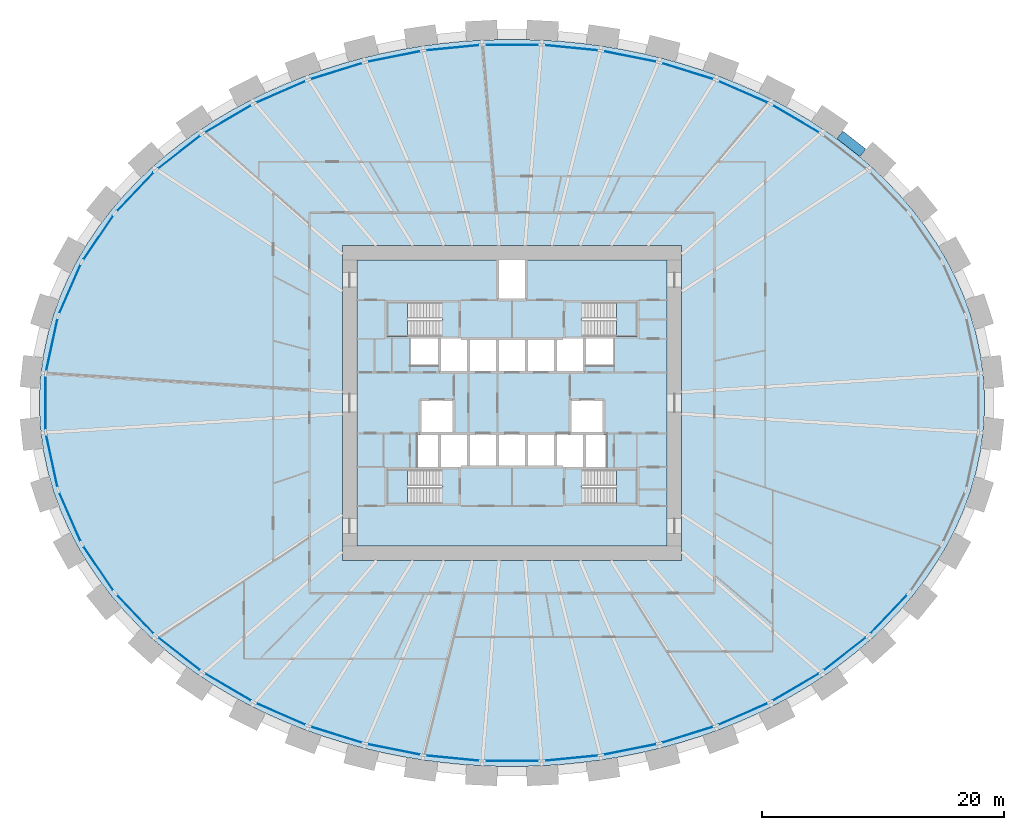
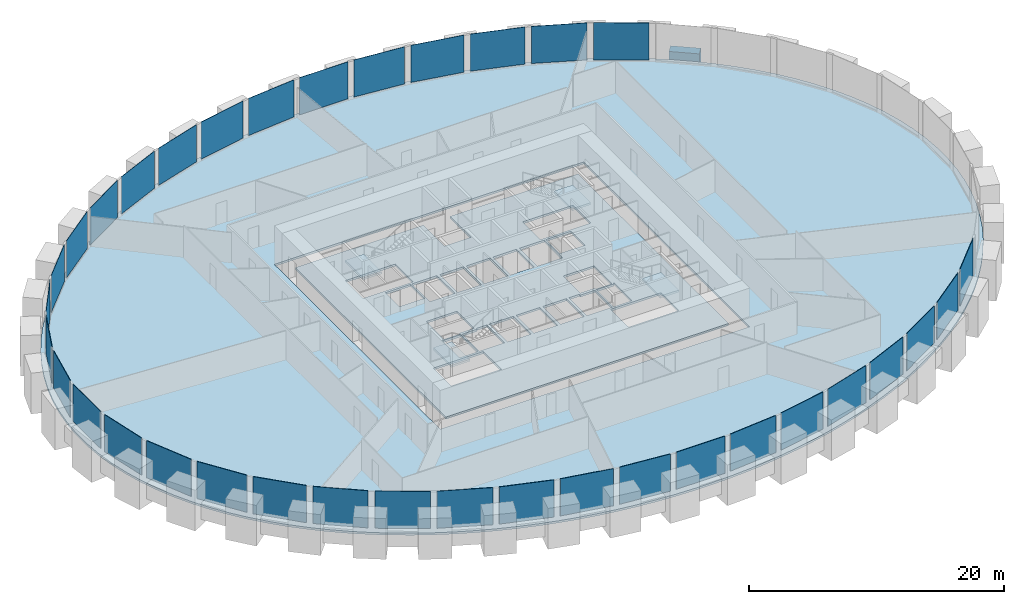
# One storey, part 4 of 11: 35 plates, 6 slabs, 1 beam, 5 elements without a shape of their own.
"""IFC4 building model written with IfcOpenShell, lengths in metres."""

import ifcopenshell
import ifcopenshell.guid

model = None  # the IFC model being written
_history = None  # IfcOwnerHistory: only IFC2X3 demands one
_inside = {}  # id of a spatial element -> (the spatial element, [elements in it])
_under = {}  # id of a project, library or spatial element -> (it, [spatial elements below it])
_declared = {}  # id of a project -> (the project, [libraries it declares])
_typed = {}  # id of a type object -> (the type object, [elements of that type])
_made_of = {}  # id of a material, layer set ... -> (it, [elements and type objects made of it])


def new_model(schema):
    """Start an empty IFC model of exactly this schema.

    Asked for "IFC4X3", IfcOpenShell would pick the latest addendum, in which some entities
    have other attributes; the version numbers below select the first issue.
    IFC2X3 requires an IfcOwnerHistory on every rooted entity: one is made here for all.
    """
    global model, _history
    if schema == "IFC4X3":
        model = ifcopenshell.file(schema_version=(4, 3, 0, 0))
    else:
        model = ifcopenshell.file(schema=schema)
    _inside.clear()
    _under.clear()
    _declared.clear()
    _typed.clear()
    _made_of.clear()
    _history = None
    if model.schema == "IFC2X3":
        org = make("IfcOrganization", Name="unknown")
        user = make(
            "IfcPersonAndOrganization",
            ThePerson=make("IfcPerson", FamilyName="unknown"),
            TheOrganization=org,
        )
        app = make(
            "IfcApplication",
            ApplicationDeveloper=org,
            Version="unknown",
            ApplicationFullName="unknown",
            ApplicationIdentifier="unknown",
        )
        _history = make(
            "IfcOwnerHistory",
            OwningUser=user,
            OwningApplication=app,
            ChangeAction="ADDED",
            CreationDate=0,
        )
    return model


def make(cls, **values):
    """One entity of the class cls with the attributes given. An attribute that is None is left unset."""
    return model.create_entity(
        cls, **{name: value for name, value in values.items() if value is not None}
    )


def rooted(cls, **values):
    """An entity with a GlobalId (a new one), such as an element, a storey or a relation."""
    return make(cls, GlobalId=ifcopenshell.guid.new(), OwnerHistory=_history, **values)


def si_unit(unit_type, name, prefix=None):
    """IfcSIUnit, for example si_unit("LENGTHUNIT", "METRE", prefix="MILLI")."""
    return make("IfcSIUnit", UnitType=unit_type, Prefix=prefix, Name=name)


def assignment(units):
    """IfcUnitAssignment: the units of a project."""
    return None if units is None else make("IfcUnitAssignment", Units=units)


def point(xyz):
    """IfcCartesianPoint."""
    return None if xyz is None else make("IfcCartesianPoint", Coordinates=xyz)


def direction(xyz):
    """IfcDirection."""
    return None if xyz is None else make("IfcDirection", DirectionRatios=xyz)


def frame(location, z_axis=None, x_axis=None):
    """IfcAxis2Placement3D, a coordinate frame: its origin and axes. An axis left out is left unset."""
    return make(
        "IfcAxis2Placement3D",
        Location=point(location),
        Axis=direction(z_axis),
        RefDirection=direction(x_axis),
    )


def frame_2d(location, x_axis=None):
    """IfcAxis2Placement2D, a coordinate frame in the plane: its origin and x axis."""
    return make(
        "IfcAxis2Placement2D", Location=point(location), RefDirection=direction(x_axis)
    )


def origin():
    """The frame at (0, 0, 0) with its axes left unset."""
    return frame((0.0, 0.0, 0.0))


def origin_2d():
    """The frame at (0, 0) in the plane with its x axis left unset."""
    return frame_2d((0.0, 0.0))


def place(relative_to, where):
    """IfcLocalPlacement: puts the frame where relative to a parent placement (None: the world)."""
    return make(
        "IfcLocalPlacement", PlacementRelTo=relative_to, RelativePlacement=where
    )


def context(
    kind, dimensions, precision=None, world=None, true_north=None, identifier=None
):
    """IfcGeometricRepresentationContext, for example the 3D "Model" context."""
    return make(
        "IfcGeometricRepresentationContext",
        ContextIdentifier=identifier,
        ContextType=kind,
        CoordinateSpaceDimension=dimensions,
        Precision=precision,
        WorldCoordinateSystem=world,
        TrueNorth=true_north,
    )


def subcontext(parent, identifier, kind, view, scale=None):
    """IfcGeometricRepresentationSubContext, for example "Body" below "Model"."""
    return make(
        "IfcGeometricRepresentationSubContext",
        ContextIdentifier=identifier,
        ContextType=kind,
        ParentContext=parent,
        TargetScale=scale,
        TargetView=view,
    )


def project(units=None, contexts=None):
    """IfcProject with its units and contexts."""
    return rooted(
        "IfcProject",
        Name="project",
        RepresentationContexts=contexts,
        UnitsInContext=assignment(units),
    )


def spatial(cls, under=None, at=None, **own):
    """A site, building, storey or space (cls), placed at a placement, below another one or the project."""
    s = rooted(cls, ObjectPlacement=at, **own)
    if under is not None:
        _under.setdefault(under.id(), (under, []))[1].append(s)
    return s


def polyline(points):
    """IfcPolyline through the points."""
    return make("IfcPolyline", Points=[point(p) for p in points])


def profile(cls, at=None, kind="AREA", **sizes):
    """A parametric profile (cls). Its sizes go by their IFC names, for example OverallWidth=200.0."""
    return make(cls, ProfileType=kind, Position=at, **sizes)


def rectangle(**sizes):
    """IfcRectangleProfileDef."""
    return profile("IfcRectangleProfileDef", **sizes)


def outline(outer, holes=None, kind="AREA"):
    """IfcArbitraryClosedProfileDef: a profile drawn as a closed curve; with holes, ...WithVoids."""
    if holes is None:
        return make("IfcArbitraryClosedProfileDef", ProfileType=kind, OuterCurve=outer)
    return make(
        "IfcArbitraryProfileDefWithVoids",
        ProfileType=kind,
        OuterCurve=outer,
        InnerCurves=holes,
    )


def extrude(swept, where, along, depth):
    """IfcExtrudedAreaSolid: the profile swept, set in the frame where, extruded along a direction by depth."""
    return make(
        "IfcExtrudedAreaSolid",
        SweptArea=swept,
        Position=where,
        ExtrudedDirection=direction(along),
        Depth=depth,
    )


def shape(context_of_items, identifier, shape_type, items):
    """IfcShapeRepresentation: the items that make up one representation, for example the "Body"."""
    return make(
        "IfcShapeRepresentation",
        ContextOfItems=context_of_items,
        RepresentationIdentifier=identifier,
        RepresentationType=shape_type,
        Items=items,
    )


def source(mapping_origin, context_of_items, identifier, shape_type, items):
    """IfcRepresentationMap: a shape defined once, which mapped items show again and again."""
    return make(
        "IfcRepresentationMap",
        MappingOrigin=mapping_origin,
        MappedRepresentation=shape(context_of_items, identifier, shape_type, items),
    )


def transform(
    local_origin,
    x_axis=None,
    y_axis=None,
    z_axis=None,
    scale=None,
    scale2=None,
    scale3=None,
    uniform=True,
):
    """IfcCartesianTransformationOperator3D, or its non-uniform kind. x_axis, y_axis, z_axis: its Axis1, 2, 3."""
    if uniform:
        return make(
            "IfcCartesianTransformationOperator3D",
            Axis1=direction(x_axis),
            Axis2=direction(y_axis),
            LocalOrigin=point(local_origin),
            Scale=scale,
            Axis3=direction(z_axis),
        )
    return make(
        "IfcCartesianTransformationOperator3DnonUniform",
        Axis1=direction(x_axis),
        Axis2=direction(y_axis),
        LocalOrigin=point(local_origin),
        Scale=scale,
        Axis3=direction(z_axis),
        Scale2=scale2,
        Scale3=scale3,
    )


def mapped(mapping_source, mapping_target):
    """IfcMappedItem: shows the shape of a source again, moved by a transform."""
    return make(
        "IfcMappedItem", MappingSource=mapping_source, MappingTarget=mapping_target
    )


def material(Name=None, Category=None):
    """IfcMaterial."""
    return make("IfcMaterial", Name=Name, Category=Category)


def layer(
    of_material, thickness, ventilated=None, Name=None, Category=None, Priority=None
):
    """IfcMaterialLayer: one layer of a wall or slab, of a material (None: an air gap)."""
    return make(
        "IfcMaterialLayer",
        Material=of_material,
        LayerThickness=thickness,
        IsVentilated=ventilated,
        Name=Name,
        Category=Category,
        Priority=Priority,
    )


def layer_set(layers, Name=None):
    """IfcMaterialLayerSet."""
    return make("IfcMaterialLayerSet", MaterialLayers=layers, LayerSetName=Name)


def material_profile(
    of_material, cross_section, Name=None, Category=None, Priority=None
):
    """IfcMaterialProfile: a cross section and its material."""
    return make(
        "IfcMaterialProfile",
        Name=Name,
        Material=of_material,
        Profile=cross_section,
        Priority=Priority,
        Category=Category,
    )


def profile_set(profiles, Name=None, composite=None):
    """IfcMaterialProfileSet."""
    return make(
        "IfcMaterialProfileSet",
        Name=Name,
        MaterialProfiles=profiles,
        CompositeProfile=composite,
    )


def made_of(thing, what):
    """Note that an element or type object is made of a material, layer set ...; save() writes the relation."""
    if what is not None:
        _made_of.setdefault(what.id(), (what, []))[1].append(thing)
    return thing


def type_object(cls, material=None, **own):
    """A type object (cls), such as IfcWallType, which elements share."""
    return made_of(rooted(cls, **own), material)


def element(
    cls,
    number,
    at=None,
    inside=None,
    cuts=None,
    type_object=None,
    material=None,
    context=None,
    identifier="Body",
    shape_type=None,
    held_by="IfcProductDefinitionShape",
    body=None,
    shapes=None,
    **own,
):
    """One element of the class cls, such as IfcWall. Its Tag is "e" and its number.

    at: its placement. inside: the storey or other place that contains it. cuts: it is an
    opening in that element (IfcRelVoidsElement). A single representation is given by context,
    identifier, shape_type and body (its items); several are given by shapes. held_by: the class
    of the entity that holds the representations. save() writes the other relations.
    """
    e = rooted(cls, Tag="e%d" % number, ObjectPlacement=at, **own)
    if body is not None:
        shapes = [shape(context, identifier, shape_type, body)]
    if shapes is not None:
        e.Representation = make(held_by, Representations=shapes)
    if inside is not None:
        _inside.setdefault(inside.id(), (inside, []))[1].append(e)
    if cuts is not None:
        rooted(
            "IfcRelVoidsElement", RelatingBuildingElement=cuts, RelatedOpeningElement=e
        )
    if type_object is not None:
        _typed.setdefault(type_object.id(), (type_object, []))[1].append(e)
    return made_of(e, material)


def aggregate(whole, parts):
    """IfcRelAggregates: a whole, such as a stair, and the parts it consists of."""
    return rooted("IfcRelAggregates", RelatingObject=whole, RelatedObjects=parts)


def save(model, path):
    """Write the relations noted so far, then the file.

    IfcRelAggregates (storeys below a building ...), IfcRelContainedInSpatialStructure (elements
    in a storey), IfcRelDefinesByType, IfcRelAssociatesMaterial and IfcRelDeclares: one each for
    every whole, place, type object, material and project.
    """
    for whole, parts in _under.values():
        aggregate(whole, parts)
    for where, things in _inside.values():
        rooted(
            "IfcRelContainedInSpatialStructure",
            RelatedElements=things,
            RelatingStructure=where,
        )
    for kind, things in _typed.values():
        rooted("IfcRelDefinesByType", RelatedObjects=things, RelatingType=kind)
    for what, things in _made_of.values():
        rooted("IfcRelAssociatesMaterial", RelatedObjects=things, RelatingMaterial=what)
    for by, libraries in _declared.values():
        rooted("IfcRelDeclares", RelatingContext=by, RelatedDefinitions=libraries)
    model.write(path)


model = new_model("IFC4")

# Units and contexts
model_context = context("Model", 3, precision=1e-05, world=origin(), true_north=direction((0.0, 1.0)))
body_context = subcontext(model_context, "Body", "Model", "MODEL_VIEW")
ifc_project = project(units=[si_unit("LENGTHUNIT", "METRE"), si_unit("AREAUNIT", "SQUARE_METRE"), si_unit("VOLUMEUNIT", "CUBIC_METRE"), si_unit("PLANEANGLEUNIT", "RADIAN"), si_unit("MASSUNIT", "GRAM", prefix="KILO")], contexts=[model_context])

# Site, building, storey
site_placement = place(None, origin())
site = spatial("IfcSite", under=ifc_project, at=site_placement, CompositionType="ELEMENT")
building_placement = place(site_placement, origin())
building = spatial("IfcBuilding", under=site, at=building_placement, Name="Embergate Tower", CompositionType="ELEMENT")
storey_placement = place(building_placement, frame((0.0, 0.0, 41.89990234375)))
storey = spatial("IfcBuildingStorey", under=building, at=storey_placement, Name="L06", CompositionType="ELEMENT", Elevation=41.89990234375)

# Beam
ifc_material_1 = material(Name="Concrete C70", Category="concrete")
ifc_material_profile = material_profile(ifc_material_1, rectangle(XDim=0.800048828125, YDim=1.5, at=origin_2d()), Name="RC 800x1500")
ifc_profile_set = profile_set([ifc_material_profile], Name="Concrete C70")
beam_type = type_object("IfcBeamType", Name="Spandrel beam RC 800x1500 C70", PredefinedType="BEAM", material=ifc_profile_set)
shared_shape_1 = source(origin(), body_context, "Body", "SweptSolid", [
    extrude(rectangle(XDim=0.800048828125, YDim=1.5, at=origin_2d()), origin(), (0.0, 0.0, 1.0), 2.40234375),
])
beam_placement = place(storey_placement, frame((28.94189453125, 20.637939453125, 0.0), z_axis=(-0.788327805862, 0.615255451423, 0.0), x_axis=(-0.615255451423, -0.788327805862, 0.0)))
element("IfcBeam", 1, at=beam_placement, inside=storey, type_object=beam_type, Name="SPN-L06-04", PredefinedType="BEAM", context=body_context, shape_type="MappedRepresentation", body=[
    mapped(shared_shape_1, transform((0.0, 0.0, 0.0))),
])

# Slab
ifc_material_2 = material(Name="Concrete C40", Category="concrete")
ifc_layer_1 = layer(ifc_material_2, 0.199951171875)
ifc_layer_set_1 = layer_set([ifc_layer_1], Name="Concrete C40")
slab_type_1 = type_object("IfcSlabType", Name="Composite floor slab C40 200", PredefinedType="FLOOR", material=ifc_layer_set_1)
shared_shape_2 = source(origin(), body_context, "Body", "SweptSolid", [
    extrude(outline(polyline([(0.0, 0.0), (1.64990234375, 0.0), (3.296875, 0.05322265625), (4.946044921875, 0.1611328125), (6.5869140625, 0.322021484375), (8.218017578125, 0.537109375), (9.850830078125, 0.80810546875), (11.468017578125, 1.132080078125), (13.06494140625, 1.509033203125), (14.666015625, 1.946044921875), (16.240966796875, 2.43701171875), (17.785888671875, 2.97900390625), (19.3330078125, 3.588134765625), (20.843994140625, 4.248046875), (22.31494140625, 4.960205078125), (23.784912109375, 5.7451171875), (25.2060546875, 6.580078125), (26.575927734375, 7.465087890625), (27.93701171875, 8.43115234375), (29.237060546875, 9.445068359375), (30.471923828125, 10.506103515625), (31.68505859375, 11.654052734375), (32.822998046875, 12.84716796875), (33.883056640625, 14.08203125), (34.89892578125, 15.4072265625), (35.825927734375, 16.76904296875), (36.660888671875, 18.1669921875), (37.425048828125, 19.647216796875), (38.0869140625, 21.156005859375), (38.64404296875, 22.690185546875), (39.10400390625, 24.283203125), (39.450927734375, 25.89404296875), (39.682861328125, 27.51708984375), (39.800048828125, 29.1611328125), (39.800048828125, 30.80908203125), (39.682861328125, 32.453125), (39.450927734375, 34.076171875), (39.10400390625, 35.68701171875), (38.64404296875, 37.280029296875), (38.0869140625, 38.814208984375), (37.425048828125, 40.322998046875), (36.660888671875, 41.80322265625), (35.825927734375, 43.201171875), (34.89892578125, 44.56298828125), (33.883056640625, 45.88818359375), (32.822998046875, 47.123046875), (31.68505859375, 48.316162109375), (30.471923828125, 49.464111328125), (29.237060546875, 50.525146484375), (27.93701171875, 51.5390625), (26.575927734375, 52.505126953125), (25.2060546875, 53.39013671875), (23.784912109375, 54.22509765625), (22.31494140625, 55.010009765625), (20.843994140625, 55.72216796875), (19.3330078125, 56.382080078125), (17.785888671875, 56.9912109375), (16.240966796875, 57.533203125), (14.666015625, 58.024169921875), (13.06494140625, 58.461181640625), (11.468017578125, 58.838134765625), (9.850830078125, 59.162109375), (8.218017578125, 59.43310546875), (6.5869140625, 59.648193359375), (4.946044921875, 59.80908203125), (3.296875, 59.9169921875), (1.64990234375, 59.97021484375), (0.0, 59.97021484375), (-1.64697265625, 59.9169921875), (-3.296142578125, 59.80908203125), (-4.93701171875, 59.648193359375), (-6.568115234375, 59.43310546875), (-8.200927734375, 59.162109375), (-9.818115234375, 58.838134765625), (-11.4150390625, 58.461181640625), (-13.01611328125, 58.024169921875), (-14.591064453125, 57.533203125), (-16.135986328125, 56.9912109375), (-17.68310546875, 56.382080078125), (-19.194091796875, 55.72216796875), (-20.6650390625, 55.010009765625), (-22.135009765625, 54.22509765625), (-23.55615234375, 53.39013671875), (-24.926025390625, 52.505126953125), (-26.287109375, 51.5390625), (-27.587158203125, 50.525146484375), (-28.822021484375, 49.464111328125), (-30.03515625, 48.316162109375), (-31.173095703125, 47.123046875), (-32.233154296875, 45.88818359375), (-33.2490234375, 44.56298828125), (-34.176025390625, 43.201171875), (-35.010986328125, 41.80322265625), (-35.775146484375, 40.322998046875), (-36.43701171875, 38.814208984375), (-36.994140625, 37.280029296875), (-37.4541015625, 35.68701171875), (-37.801025390625, 34.076171875), (-38.032958984375, 32.453125), (-38.150146484375, 30.80908203125), (-38.150146484375, 29.1611328125), (-38.032958984375, 27.51708984375), (-37.801025390625, 25.89404296875), (-37.4541015625, 24.283203125), (-36.994140625, 22.690185546875), (-36.43701171875, 21.156005859375), (-35.775146484375, 19.647216796875), (-35.010986328125, 18.1669921875), (-34.176025390625, 16.76904296875), (-33.2490234375, 15.4072265625), (-32.233154296875, 14.08203125), (-31.173095703125, 12.84716796875), (-30.03515625, 11.654052734375), (-28.822021484375, 10.506103515625), (-27.587158203125, 9.445068359375), (-26.287109375, 8.43115234375), (-24.926025390625, 7.465087890625), (-23.55615234375, 6.580078125), (-22.135009765625, 5.7451171875), (-20.6650390625, 4.960205078125), (-19.194091796875, 4.248046875), (-17.68310546875, 3.588134765625), (-16.135986328125, 2.97900390625), (-14.591064453125, 2.43701171875), (-13.01611328125, 1.946044921875), (-11.4150390625, 1.509033203125), (-9.818115234375, 1.132080078125), (-8.200927734375, 0.80810546875), (-6.568115234375, 0.537109375), (-4.93701171875, 0.322021484375), (-3.296142578125, 0.1611328125), (-1.64697265625, 0.05322265625), (0.0, 0.0)]), holes=[polyline([(-13.175048828125, 16.985107421875), (-13.175048828125, 42.985107421875), (14.824951171875, 42.985107421875), (14.824951171875, 16.985107421875), (-13.175048828125, 16.985107421875)])]), origin(), (0.0, 0.0, 1.0), 0.199951171875),
])
slab_1_placement = place(storey_placement, frame((-0.824951171875, -29.985107421875, -0.199951171875)))
element("IfcSlab", 2, at=slab_1_placement, inside=storey, type_object=slab_type_1, Name="SLB-L06-00", PredefinedType="FLOOR", context=body_context, shape_type="MappedRepresentation", body=[
    mapped(shared_shape_2, transform((0.0, 0.0, 0.0))),
])

# Curtain wall, plates
ifc_material_3 = material(Name="Aluminium and glass", Category="aluminium")
curtain_wall_type = type_object("IfcCurtainWallType", Name="Recessed office glazing", PredefinedType="NOTDEFINED", material=ifc_material_3)
curtain_wall_placement = place(storey_placement, origin())
curtain_wall = element("IfcCurtainWall", 3, at=curtain_wall_placement, inside=storey, type_object=curtain_wall_type, Name="Recessed office glazing ring", ObjectType="RECESSED OFFICE GLAZING", PredefinedType="USERDEFINED")
ifc_material_4 = material(Name="Triple glazing, low-emissivity coating", Category="glass")
ifc_layer_2 = layer(ifc_material_4, 0.035888671875)
ifc_layer_set_2 = layer_set([ifc_layer_2], Name="Triple glazing, low-emissivity coating")
plate_type = type_object("IfcPlateType", Name="Office glazing unit", PredefinedType="CURTAIN_PANEL", material=ifc_layer_set_2)
shared_shape_3 = source(origin(), body_context, "Body", "SweptSolid", [
    extrude(rectangle(XDim=4.336181640625, YDim=0.035888671875, at=origin_2d()), origin(), (0.0, 0.0, 1.0), 3.550048828125),
])
plate_1_placement = place(storey_placement, frame((-37.958984375, 4.800537109375, 0.14990234375), z_axis=(0.0, 0.0, 1.0), x_axis=(-0.210398391177, -0.97761573074, 0.0)))
plate_1 = element("IfcPlate", 4, at=plate_1_placement, type_object=plate_type, Name="CW panel 21.1", PredefinedType="CURTAIN_PANEL", context=body_context, shape_type="MappedRepresentation", body=[
    mapped(shared_shape_3, transform((0.0, 0.0, 0.0))),
])
plate_2_placement = place(storey_placement, frame((-37.958984375, -4.800537109375, 0.14990234375), z_axis=(0.0, 0.0, 1.0), x_axis=(0.210398391177, -0.97761573074, 0.0)))
plate_2 = element("IfcPlate", 5, at=plate_2_placement, type_object=plate_type, Name="CW panel 23.1", PredefinedType="CURTAIN_PANEL", context=body_context, shape_type="MappedRepresentation", body=[
    mapped(shared_shape_3, transform((0.0, 0.0, 0.0))),
])
shared_shape_4 = source(origin(), body_context, "Body", "SweptSolid", [
    extrude(rectangle(XDim=4.34326171875, YDim=0.035888671875, at=origin_2d()), origin(), (0.0, 0.0, 1.0), 3.550048828125),
])
plate_3_placement = place(storey_placement, frame((-36.471435546875, 9.401123046875, 0.14990234375), z_axis=(0.0, 0.0, 1.0), x_axis=(-0.401653699516, -0.915791627864, 0.0)))
plate_3 = element("IfcPlate", 6, at=plate_3_placement, type_object=plate_type, Name="CW panel 20.1", PredefinedType="CURTAIN_PANEL", context=body_context, shape_type="MappedRepresentation", body=[
    mapped(shared_shape_4, transform((0.0, 0.0, 0.0))),
])
plate_4_placement = place(storey_placement, frame((-36.471435546875, -9.401123046875, 0.14990234375), z_axis=(0.0, 0.0, 1.0), x_axis=(0.401653699516, -0.915791627864, 0.0)))
plate_4 = element("IfcPlate", 7, at=plate_4_placement, type_object=plate_type, Name="CW panel 24.1", PredefinedType="CURTAIN_PANEL", context=body_context, shape_type="MappedRepresentation", body=[
    mapped(shared_shape_4, transform((0.0, 0.0, 0.0))),
])
shared_shape_5 = source(origin(), body_context, "Body", "SweptSolid", [
    extrude(rectangle(XDim=4.352294921875, YDim=0.035888671875, at=origin_2d()), origin(), (0.0, 0.0, 1.0), 3.550048828125),
])
plate_5_placement = place(storey_placement, frame((-34.125, 13.642578125, 0.14990234375), z_axis=(0.0, 0.0, 1.0), x_axis=(-0.562344628355, -0.826902968286, 0.0)))
plate_5 = element("IfcPlate", 8, at=plate_5_placement, type_object=plate_type, Name="CW panel 19.1", PredefinedType="CURTAIN_PANEL", context=body_context, shape_type="MappedRepresentation", body=[
    mapped(shared_shape_5, transform((0.0, 0.0, 0.0))),
])
plate_6_placement = place(storey_placement, frame((-34.125, -13.642578125, 0.14990234375), z_axis=(0.0, 0.0, 1.0), x_axis=(0.562344628355, -0.826902968286, 0.0)))
plate_6 = element("IfcPlate", 9, at=plate_6_placement, type_object=plate_type, Name="CW panel 25.1", PredefinedType="CURTAIN_PANEL", context=body_context, shape_type="MappedRepresentation", body=[
    mapped(shared_shape_5, transform((0.0, 0.0, 0.0))),
])
shared_shape_6 = source(origin(), body_context, "Body", "SweptSolid", [
    extrude(rectangle(XDim=4.36083984375, YDim=0.035888671875, at=origin_2d()), origin(), (0.0, 0.0, 1.0), 3.550048828125),
])
plate_7_placement = place(storey_placement, frame((-31.07080078125, 17.423095703125, 0.14990234375), z_axis=(0.0, 0.0, 1.0), x_axis=(-0.690136310586, -0.723679399189, 0.0)))
plate_7 = element("IfcPlate", 10, at=plate_7_placement, type_object=plate_type, Name="CW panel 18.1", PredefinedType="CURTAIN_PANEL", context=body_context, shape_type="MappedRepresentation", body=[
    mapped(shared_shape_6, transform((0.0, 0.0, 0.0))),
])
plate_8_placement = place(storey_placement, frame((-31.07080078125, -17.423095703125, 0.14990234375), z_axis=(0.0, 0.0, 1.0), x_axis=(0.690136310586, -0.723679399189, 0.0)))
plate_8 = element("IfcPlate", 11, at=plate_8_placement, type_object=plate_type, Name="CW panel 26.1", PredefinedType="CURTAIN_PANEL", context=body_context, shape_type="MappedRepresentation", body=[
    mapped(shared_shape_6, transform((0.0, 0.0, 0.0))),
])
plate_9_placement = place(storey_placement, frame((31.07080078125, -17.423095703125, 0.14990234375), z_axis=(0.0, 0.0, 1.0), x_axis=(0.690136310586, 0.723679399189, 0.0)))
plate_9 = element("IfcPlate", 12, at=plate_9_placement, type_object=plate_type, Name="CW panel 40.1", PredefinedType="CURTAIN_PANEL", context=body_context, shape_type="MappedRepresentation", body=[
    mapped(shared_shape_6, transform((0.0, 0.0, 0.0))),
])
shared_shape_7 = source(origin(), body_context, "Body", "SweptSolid", [
    extrude(rectangle(XDim=4.368408203125, YDim=0.035888671875, at=origin_2d()), origin(), (0.0, 0.0, 1.0), 3.550048828125),
])
plate_10_placement = place(storey_placement, frame((-27.459716796875, 20.69287109375, 0.14990234375), z_axis=(0.0, 0.0, 1.0), x_axis=(-0.788322266931, -0.615262548398, 0.0)))
plate_10 = element("IfcPlate", 13, at=plate_10_placement, type_object=plate_type, Name="CW panel 17.1", PredefinedType="CURTAIN_PANEL", context=body_context, shape_type="MappedRepresentation", body=[
    mapped(shared_shape_7, transform((0.0, 0.0, 0.0))),
])
plate_11_placement = place(storey_placement, frame((-27.459716796875, -20.69287109375, 0.14990234375), z_axis=(0.0, 0.0, 1.0), x_axis=(0.788322266931, -0.615262548398, 0.0)))
plate_11 = element("IfcPlate", 14, at=plate_11_placement, type_object=plate_type, Name="CW panel 27.1", PredefinedType="CURTAIN_PANEL", context=body_context, shape_type="MappedRepresentation", body=[
    mapped(shared_shape_7, transform((0.0, 0.0, 0.0))),
])
plate_12_placement = place(storey_placement, frame((27.459716796875, -20.69287109375, 0.14990234375), z_axis=(0.0, 0.0, 1.0), x_axis=(0.788322266931, 0.615262548398, 0.0)))
plate_12 = element("IfcPlate", 15, at=plate_12_placement, type_object=plate_type, Name="CW panel 39.1", PredefinedType="CURTAIN_PANEL", context=body_context, shape_type="MappedRepresentation", body=[
    mapped(shared_shape_7, transform((0.0, 0.0, 0.0))),
])
shared_shape_8 = source(origin(), body_context, "Body", "SweptSolid", [
    extrude(rectangle(XDim=4.37451171875, YDim=0.035888671875, at=origin_2d()), origin(), (0.0, 0.0, 1.0), 3.550048828125),
])
plate_13_placement = place(storey_placement, frame((23.423095703125, 23.43701171875, 0.14990234375), z_axis=(0.0, 0.0, 1.0), x_axis=(-0.862054052374, 0.506816348183, 0.0)))
plate_13 = element("IfcPlate", 16, at=plate_13_placement, type_object=plate_type, Name="CW panel 6.1", PredefinedType="CURTAIN_PANEL", context=body_context, shape_type="MappedRepresentation", body=[
    mapped(shared_shape_8, transform((0.0, 0.0, 0.0))),
])
plate_14_placement = place(storey_placement, frame((-23.423095703125, 23.43701171875, 0.14990234375), z_axis=(0.0, 0.0, 1.0), x_axis=(-0.862054052374, -0.506816348183, 0.0)))
plate_14 = element("IfcPlate", 17, at=plate_14_placement, type_object=plate_type, Name="CW panel 16.1", PredefinedType="CURTAIN_PANEL", context=body_context, shape_type="MappedRepresentation", body=[
    mapped(shared_shape_8, transform((0.0, 0.0, 0.0))),
])
plate_15_placement = place(storey_placement, frame((-23.423095703125, -23.43701171875, 0.14990234375), z_axis=(0.0, 0.0, 1.0), x_axis=(0.862054052374, -0.506816348183, 0.0)))
plate_15 = element("IfcPlate", 18, at=plate_15_placement, type_object=plate_type, Name="CW panel 28.1", PredefinedType="CURTAIN_PANEL", context=body_context, shape_type="MappedRepresentation", body=[
    mapped(shared_shape_8, transform((0.0, 0.0, 0.0))),
])
plate_16_placement = place(storey_placement, frame((23.423095703125, -23.43701171875, 0.14990234375), z_axis=(0.0, 0.0, 1.0), x_axis=(0.862054052374, 0.506816348183, 0.0)))
plate_16 = element("IfcPlate", 19, at=plate_16_placement, type_object=plate_type, Name="CW panel 38.1", PredefinedType="CURTAIN_PANEL", context=body_context, shape_type="MappedRepresentation", body=[
    mapped(shared_shape_8, transform((0.0, 0.0, 0.0))),
])
shared_shape_9 = source(origin(), body_context, "Body", "SweptSolid", [
    extrude(rectangle(XDim=4.37890625, YDim=0.035888671875, at=origin_2d()), origin(), (0.0, 0.0, 1.0), 3.550048828125),
])
plate_17_placement = place(storey_placement, frame((19.069091796875, 25.65869140625, 0.14990234375), z_axis=(0.0, 0.0, 1.0), x_axis=(-0.916236910986, 0.400636896638, 0.0)))
plate_17 = element("IfcPlate", 20, at=plate_17_placement, type_object=plate_type, Name="CW panel 7.1", PredefinedType="CURTAIN_PANEL", context=body_context, shape_type="MappedRepresentation", body=[
    mapped(shared_shape_9, transform((0.0, 0.0, 0.0))),
])
plate_18_placement = place(storey_placement, frame((-19.069091796875, 25.65869140625, 0.14990234375), z_axis=(0.0, 0.0, 1.0), x_axis=(-0.916236910986, -0.400636896638, 0.0)))
plate_18 = element("IfcPlate", 21, at=plate_18_placement, type_object=plate_type, Name="CW panel 15.1", PredefinedType="CURTAIN_PANEL", context=body_context, shape_type="MappedRepresentation", body=[
    mapped(shared_shape_9, transform((0.0, 0.0, 0.0))),
])
plate_19_placement = place(storey_placement, frame((-19.069091796875, -25.65869140625, 0.14990234375), z_axis=(0.0, 0.0, 1.0), x_axis=(0.916236910986, -0.400636896638, 0.0)))
plate_19 = element("IfcPlate", 22, at=plate_19_placement, type_object=plate_type, Name="CW panel 29.1", PredefinedType="CURTAIN_PANEL", context=body_context, shape_type="MappedRepresentation", body=[
    mapped(shared_shape_9, transform((0.0, 0.0, 0.0))),
])
plate_20_placement = place(storey_placement, frame((19.069091796875, -25.65869140625, 0.14990234375), z_axis=(0.0, 0.0, 1.0), x_axis=(0.916236910986, 0.400636896638, 0.0)))
plate_20 = element("IfcPlate", 23, at=plate_20_placement, type_object=plate_type, Name="CW panel 37.1", PredefinedType="CURTAIN_PANEL", context=body_context, shape_type="MappedRepresentation", body=[
    mapped(shared_shape_9, transform((0.0, 0.0, 0.0))),
])
shared_shape_10 = source(origin(), body_context, "Body", "SweptSolid", [
    extrude(rectangle(XDim=4.38232421875, YDim=0.035888671875, at=origin_2d()), origin(), (0.0, 0.0, 1.0), 3.550048828125),
])
plate_21_placement = place(storey_placement, frame((14.484619140625, 27.368896484375, 0.14990234375), z_axis=(0.0, 0.0, 1.0), x_axis=(-0.954772736126, 0.297336547283, 0.0)))
plate_21 = element("IfcPlate", 24, at=plate_21_placement, type_object=plate_type, Name="CW panel 8.1", PredefinedType="CURTAIN_PANEL", context=body_context, shape_type="MappedRepresentation", body=[
    mapped(shared_shape_10, transform((0.0, 0.0, 0.0))),
])
plate_22_placement = place(storey_placement, frame((-14.484619140625, 27.368896484375, 0.14990234375), z_axis=(0.0, 0.0, 1.0), x_axis=(-0.954772736126, -0.297336547283, 0.0)))
plate_22 = element("IfcPlate", 25, at=plate_22_placement, type_object=plate_type, Name="CW panel 14.1", PredefinedType="CURTAIN_PANEL", context=body_context, shape_type="MappedRepresentation", body=[
    mapped(shared_shape_10, transform((0.0, 0.0, 0.0))),
])
plate_23_placement = place(storey_placement, frame((-14.484619140625, -27.368896484375, 0.14990234375), z_axis=(0.0, 0.0, 1.0), x_axis=(0.954772736126, -0.297336547283, 0.0)))
plate_23 = element("IfcPlate", 26, at=plate_23_placement, type_object=plate_type, Name="CW panel 30.1", PredefinedType="CURTAIN_PANEL", context=body_context, shape_type="MappedRepresentation", body=[
    mapped(shared_shape_10, transform((0.0, 0.0, 0.0))),
])
plate_24_placement = place(storey_placement, frame((14.484619140625, -27.368896484375, 0.14990234375), z_axis=(0.0, 0.0, 1.0), x_axis=(0.954772736126, 0.297336547283, 0.0)))
plate_24 = element("IfcPlate", 27, at=plate_24_placement, type_object=plate_type, Name="CW panel 36.1", PredefinedType="CURTAIN_PANEL", context=body_context, shape_type="MappedRepresentation", body=[
    mapped(shared_shape_10, transform((0.0, 0.0, 0.0))),
])
shared_shape_11 = source(origin(), body_context, "Body", "SweptSolid", [
    extrude(rectangle(XDim=4.384521484375, YDim=0.035888671875, at=origin_2d()), origin(), (0.0, 0.0, 1.0), 3.550048828125),
])
plate_25_placement = place(storey_placement, frame((9.73974609375, 28.580078125, 0.14990234375), z_axis=(0.0, 0.0, 1.0), x_axis=(-0.980475907409, 0.196639250889, 0.0)))
plate_25 = element("IfcPlate", 28, at=plate_25_placement, type_object=plate_type, Name="CW panel 9.1", PredefinedType="CURTAIN_PANEL", context=body_context, shape_type="MappedRepresentation", body=[
    mapped(shared_shape_11, transform((0.0, 0.0, 0.0))),
])
plate_26_placement = place(storey_placement, frame((-9.73974609375, 28.580078125, 0.14990234375), z_axis=(0.0, 0.0, 1.0), x_axis=(-0.980475907409, -0.196639250889, 0.0)))
plate_26 = element("IfcPlate", 29, at=plate_26_placement, type_object=plate_type, Name="CW panel 13.1", PredefinedType="CURTAIN_PANEL", context=body_context, shape_type="MappedRepresentation", body=[
    mapped(shared_shape_11, transform((0.0, 0.0, 0.0))),
])
plate_27_placement = place(storey_placement, frame((-9.73974609375, -28.580078125, 0.14990234375), z_axis=(0.0, 0.0, 1.0), x_axis=(0.980475907409, -0.196639250889, 0.0)))
plate_27 = element("IfcPlate", 30, at=plate_27_placement, type_object=plate_type, Name="CW panel 31.1", PredefinedType="CURTAIN_PANEL", context=body_context, shape_type="MappedRepresentation", body=[
    mapped(shared_shape_11, transform((0.0, 0.0, 0.0))),
])
plate_28_placement = place(storey_placement, frame((9.73974609375, -28.580078125, 0.14990234375), z_axis=(0.0, 0.0, 1.0), x_axis=(0.980475907409, 0.196639250889, 0.0)))
plate_28 = element("IfcPlate", 31, at=plate_28_placement, type_object=plate_type, Name="CW panel 35.1", PredefinedType="CURTAIN_PANEL", context=body_context, shape_type="MappedRepresentation", body=[
    mapped(shared_shape_11, transform((0.0, 0.0, 0.0))),
])
shared_shape_12 = source(origin(), body_context, "Body", "SweptSolid", [
    extrude(rectangle(XDim=4.3857421875, YDim=0.035888671875, at=origin_2d()), origin(), (0.0, 0.0, 1.0), 3.550048828125),
])
plate_29_placement = place(storey_placement, frame((4.894287109375, 29.30224609375, 0.14990234375), z_axis=(0.0, 0.0, 1.0), x_axis=(-0.995203184788, 0.097829550688, 0.0)))
plate_29 = element("IfcPlate", 32, at=plate_29_placement, type_object=plate_type, Name="CW panel 10.1", PredefinedType="CURTAIN_PANEL", context=body_context, shape_type="MappedRepresentation", body=[
    mapped(shared_shape_12, transform((0.0, 0.0, 0.0))),
])
plate_30_placement = place(storey_placement, frame((-4.894287109375, 29.30224609375, 0.14990234375), z_axis=(0.0, 0.0, 1.0), x_axis=(-0.995203184788, -0.097829550688, 0.0)))
plate_30 = element("IfcPlate", 33, at=plate_30_placement, type_object=plate_type, Name="CW panel 12.1", PredefinedType="CURTAIN_PANEL", context=body_context, shape_type="MappedRepresentation", body=[
    mapped(shared_shape_12, transform((0.0, 0.0, 0.0))),
])
plate_31_placement = place(storey_placement, frame((-4.894287109375, -29.30224609375, 0.14990234375), z_axis=(0.0, 0.0, 1.0), x_axis=(0.995203184788, -0.097829550688, 0.0)))
plate_31 = element("IfcPlate", 34, at=plate_31_placement, type_object=plate_type, Name="CW panel 32.1", PredefinedType="CURTAIN_PANEL", context=body_context, shape_type="MappedRepresentation", body=[
    mapped(shared_shape_12, transform((0.0, 0.0, 0.0))),
])
plate_32_placement = place(storey_placement, frame((4.894287109375, -29.30224609375, 0.14990234375), z_axis=(0.0, 0.0, 1.0), x_axis=(0.995203184788, 0.097829550688, 0.0)))
plate_32 = element("IfcPlate", 35, at=plate_32_placement, type_object=plate_type, Name="CW panel 34.1", PredefinedType="CURTAIN_PANEL", context=body_context, shape_type="MappedRepresentation", body=[
    mapped(shared_shape_12, transform((0.0, 0.0, 0.0))),
])
shared_shape_13 = source(origin(), body_context, "Body", "SweptSolid", [
    extrude(rectangle(XDim=4.38623046875, YDim=0.035888671875, at=origin_2d()), origin(), (0.0, 0.0, 1.0), 3.550048828125),
])
plate_33_placement = place(storey_placement, frame((0.0, 29.5419921875, 0.14990234375), z_axis=(0.0, 0.0, 1.0), x_axis=(-1.0, 0.0, 0.0)))
plate_33 = element("IfcPlate", 36, at=plate_33_placement, type_object=plate_type, Name="CW panel 11.1", PredefinedType="CURTAIN_PANEL", context=body_context, shape_type="MappedRepresentation", body=[
    mapped(shared_shape_13, transform((0.0, 0.0, 0.0))),
])
plate_34_placement = place(storey_placement, frame((0.0, -29.5419921875, 0.14990234375), z_axis=(0.0, 0.0, 1.0), x_axis=(1.0, 0.0, 0.0)))
plate_34 = element("IfcPlate", 37, at=plate_34_placement, type_object=plate_type, Name="CW panel 33.1", PredefinedType="CURTAIN_PANEL", context=body_context, shape_type="MappedRepresentation", body=[
    mapped(shared_shape_13, transform((0.0, 0.0, 0.0))),
])
shared_shape_14 = source(origin(), body_context, "Body", "SweptSolid", [
    extrude(rectangle(XDim=4.33349609375, YDim=0.035888671875, at=origin_2d()), origin(), (0.0, 0.0, 1.0), 3.550048828125),
])
plate_35_placement = place(storey_placement, frame((-38.469970703125, 0.0, 0.14990234375), z_axis=(0.0, 0.0, 1.0), x_axis=(0.0, -1.0, 0.0)))
plate_35 = element("IfcPlate", 38, at=plate_35_placement, type_object=plate_type, Name="CW panel 22.1", PredefinedType="CURTAIN_PANEL", context=body_context, shape_type="MappedRepresentation", body=[
    mapped(shared_shape_14, transform((0.0, 0.0, 0.0))),
])
aggregate(curtain_wall, [plate_13, plate_17, plate_21, plate_25, plate_29, plate_33, plate_30, plate_26, plate_22, plate_18, plate_14, plate_10, plate_7, plate_5, plate_3, plate_1, plate_35, plate_2, plate_4, plate_6, plate_8, plate_11, plate_15, plate_19, plate_23, plate_27, plate_31, plate_34, plate_32, plate_28, plate_24, plate_20, plate_16, plate_12, plate_9])

# Stair, slab
ifc_material_5 = material(Name="Exit stair")
stair_type = type_object("IfcStairType", Name="Exit stair", PredefinedType="HALF_TURN_STAIR", material=ifc_material_5)
stair_1_placement = place(storey_placement, origin())
stair_1 = element("IfcStair", 39, at=stair_1_placement, inside=storey, type_object=stair_type, Name="L06 Exit stair 1", PredefinedType="HALF_TURN_STAIR")
ifc_layer_3 = layer(ifc_material_2, 0.199951171875)
ifc_layer_set_3 = layer_set([ifc_layer_3], Name="Concrete C40")
slab_type_2 = type_object("IfcSlabType", Name="Stair landing reinforced concrete", PredefinedType="LANDING", material=ifc_layer_set_3)
shared_shape_15 = source(origin(), body_context, "Body", "SweptSolid", [
    extrude(outline(polyline([(0.0, 0.0), (1.68994140625, 0.0), (1.68994140625, 2.800048828125), (0.0, 2.800048828125), (0.0, 0.0)])), origin(), (0.0, 0.0, 1.0), 0.2001953125),
])
slab_2_placement = place(storey_placement, frame((-10.300048828125, 5.5, 1.75)))
slab_2 = element("IfcSlab", 40, at=slab_2_placement, type_object=slab_type_2, Name="ST1 landing 1", PredefinedType="LANDING", context=body_context, shape_type="MappedRepresentation", body=[
    mapped(shared_shape_15, transform((0.0, 0.0, 0.0))),
])
aggregate(stair_1, [slab_2])

stair_2_placement = place(storey_placement, origin())
stair_2 = element("IfcStair", 41, at=stair_2_placement, inside=storey, type_object=stair_type, Name="L06 Exit stair 2", PredefinedType="HALF_TURN_STAIR")
slab_3_placement = place(storey_placement, frame((8.610107421875, 5.5, 1.75)))
slab_3 = element("IfcSlab", 42, at=slab_3_placement, type_object=slab_type_2, Name="ST2 landing 1", PredefinedType="LANDING", context=body_context, shape_type="MappedRepresentation", body=[
    mapped(shared_shape_15, transform((0.0, 0.0, 0.0))),
])
aggregate(stair_2, [slab_3])

stair_3_placement = place(storey_placement, origin())
stair_3 = element("IfcStair", 43, at=stair_3_placement, inside=storey, type_object=stair_type, Name="L06 Exit stair 3", PredefinedType="HALF_TURN_STAIR")
slab_4_placement = place(storey_placement, frame((-10.300048828125, -8.300048828125, 1.75)))
slab_4 = element("IfcSlab", 44, at=slab_4_placement, type_object=slab_type_2, Name="ST3 landing 1", PredefinedType="LANDING", context=body_context, shape_type="MappedRepresentation", body=[
    mapped(shared_shape_15, transform((0.0, 0.0, 0.0))),
])
aggregate(stair_3, [slab_4])

stair_4_placement = place(storey_placement, origin())
stair_4 = element("IfcStair", 45, at=stair_4_placement, inside=storey, type_object=stair_type, Name="L06 Exit stair 4", PredefinedType="HALF_TURN_STAIR")
slab_5_placement = place(storey_placement, frame((8.610107421875, -8.300048828125, 1.75)))
slab_5 = element("IfcSlab", 46, at=slab_5_placement, type_object=slab_type_2, Name="ST4 landing 1", PredefinedType="LANDING", context=body_context, shape_type="MappedRepresentation", body=[
    mapped(shared_shape_15, transform((0.0, 0.0, 0.0))),
])
aggregate(stair_4, [slab_5])

# Slab
ifc_layer_4 = layer(ifc_material_2, 0.199951171875)
ifc_layer_set_4 = layer_set([ifc_layer_4], Name="Concrete C40")
slab_type_3 = type_object("IfcSlabType", Name="Core floor slab 200 reinforced concrete", PredefinedType="FLOOR", material=ifc_layer_set_4)
shared_shape_16 = source(origin(), body_context, "Body", "SweptSolid", [
    extrude(outline(polyline([(0.0, 0.0), (25.60009765625, 0.0), (25.60009765625, 23.60009765625), (14.0, 23.60009765625), (14.0, 20.300048828125), (11.60009765625, 20.300048828125), (11.60009765625, 23.60009765625), (0.0, 23.60009765625), (0.0, 0.0)]), holes=[polyline([(2.5, 3.5), (2.5, 6.300048828125), (7.0400390625, 6.300048828125), (7.0400390625, 3.5), (2.5, 3.5)]), polyline([(18.56005859375, 3.5), (18.56005859375, 6.300048828125), (23.10009765625, 6.300048828125), (23.10009765625, 3.5), (18.56005859375, 3.5)]), polyline([(5.0, 6.5), (5.0, 9.300048828125), (5.074951171875, 9.300048828125), (5.074951171875, 9.175048828125), (6.675048828125, 9.175048828125), (6.675048828125, 6.5), (5.0, 6.5)]), polyline([(6.800048828125, 6.5), (6.800048828125, 9.175048828125), (8.125, 9.175048828125), (8.125, 9.300048828125), (9.074951171875, 9.300048828125), (9.074951171875, 6.5), (6.800048828125, 6.5)]), polyline([(9.324951171875, 6.5), (9.324951171875, 9.300048828125), (11.47509765625, 9.300048828125), (11.47509765625, 6.5), (9.324951171875, 6.5)]), polyline([(11.72509765625, 6.5), (11.72509765625, 9.300048828125), (13.875, 9.300048828125), (13.875, 6.5), (11.72509765625, 6.5)]), polyline([(14.125, 6.5), (14.125, 9.300048828125), (16.275146484375, 9.300048828125), (16.275146484375, 6.5), (14.125, 6.5)]), polyline([(16.525146484375, 6.5), (16.525146484375, 9.300048828125), (17.47509765625, 9.300048828125), (17.47509765625, 9.175048828125), (18.800048828125, 9.175048828125), (18.800048828125, 6.5), (16.525146484375, 6.5)]), polyline([(18.925048828125, 6.5), (18.925048828125, 9.175048828125), (20.525146484375, 9.175048828125), (20.525146484375, 9.300048828125), (20.60009765625, 9.300048828125), (20.60009765625, 6.5), (18.925048828125, 6.5)]), polyline([(5.199951171875, 9.300048828125), (5.199951171875, 12.10009765625), (8.0, 12.10009765625), (8.0, 9.425048828125), (6.675048828125, 9.425048828125), (6.675048828125, 9.300048828125), (5.199951171875, 9.300048828125)]), polyline([(18.925048828125, 9.300048828125), (18.925048828125, 9.425048828125), (17.60009765625, 9.425048828125), (17.60009765625, 12.10009765625), (20.400146484375, 12.10009765625), (20.400146484375, 9.300048828125), (18.925048828125, 9.300048828125)]), polyline([(6.800048828125, 14.300048828125), (6.800048828125, 17.10009765625), (9.074951171875, 17.10009765625), (9.074951171875, 14.300048828125), (6.800048828125, 14.300048828125)]), polyline([(9.324951171875, 14.300048828125), (9.324951171875, 17.10009765625), (11.47509765625, 17.10009765625), (11.47509765625, 14.300048828125), (9.324951171875, 14.300048828125)]), polyline([(11.72509765625, 14.300048828125), (11.72509765625, 17.10009765625), (13.875, 17.10009765625), (13.875, 14.300048828125), (11.72509765625, 14.300048828125)]), polyline([(14.125, 14.300048828125), (14.125, 17.10009765625), (16.275146484375, 17.10009765625), (16.275146484375, 14.300048828125), (14.125, 14.300048828125)]), polyline([(16.525146484375, 14.300048828125), (16.525146484375, 17.10009765625), (18.800048828125, 17.10009765625), (18.800048828125, 14.300048828125), (16.525146484375, 14.300048828125)]), polyline([(4.400146484375, 14.900146484375), (4.400146484375, 17.10009765625), (6.675048828125, 17.10009765625), (6.675048828125, 14.900146484375), (4.400146484375, 14.900146484375)]), polyline([(18.925048828125, 14.900146484375), (18.925048828125, 17.10009765625), (21.199951171875, 17.10009765625), (21.199951171875, 14.900146484375), (18.925048828125, 14.900146484375)]), polyline([(2.5, 17.300048828125), (2.5, 20.10009765625), (7.0400390625, 20.10009765625), (7.0400390625, 17.300048828125), (2.5, 17.300048828125)]), polyline([(18.56005859375, 17.300048828125), (18.56005859375, 20.10009765625), (23.10009765625, 20.10009765625), (23.10009765625, 17.300048828125), (18.56005859375, 17.300048828125)])]), origin(), (0.0, 0.0, 1.0), 0.199951171875),
])
slab_6_placement = place(storey_placement, frame((-12.800048828125, -11.800048828125, -0.199951171875)))
element("IfcSlab", 47, at=slab_6_placement, inside=storey, type_object=slab_type_3, Name="Core floor slab", PredefinedType="FLOOR", context=body_context, shape_type="MappedRepresentation", body=[
    mapped(shared_shape_16, transform((0.0, 0.0, 0.0))),
])

save(model, "model.ifc")
